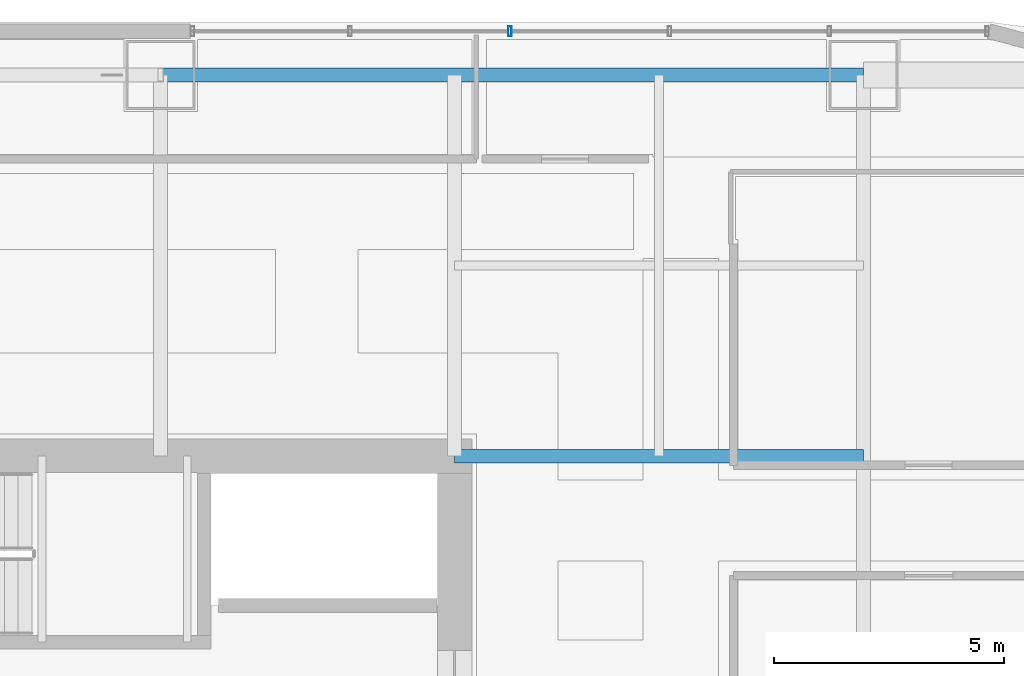
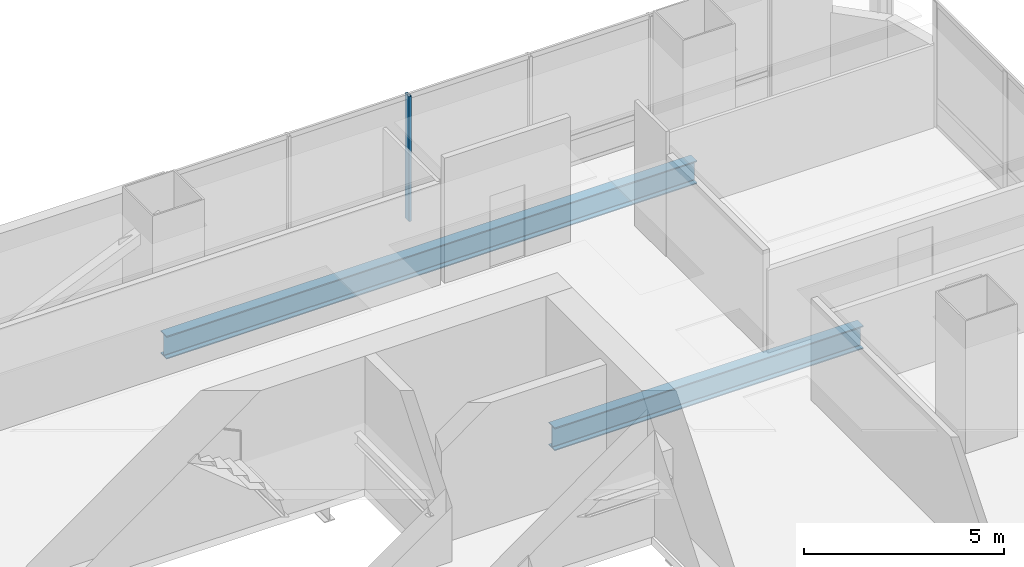
# One storey, part 20 of 40: 2 beams, 1 member, 1 element without a shape of its own.
"""IFC4 building model written with IfcOpenShell, lengths in metres."""

from ifc_helpers import new_model, si_unit, direction, frame, origin, origin_2d, place, context, subcontext, project, spatial, hollow_rectangle, i_section, extrude, material, material_profile, profile_set, type_object, element, aggregate, save


model = new_model("IFC4")

# Units and contexts
model_context = context("Model", 3, precision=1e-05, world=origin(), true_north=direction((0.0, 1.0)))
body_context = subcontext(model_context, "Body", "Model", "MODEL_VIEW")
ifc_project = project(units=[si_unit("LENGTHUNIT", "METRE"), si_unit("AREAUNIT", "SQUARE_METRE"), si_unit("VOLUMEUNIT", "CUBIC_METRE"), si_unit("PLANEANGLEUNIT", "RADIAN"), si_unit("MASSUNIT", "GRAM", prefix="KILO")], contexts=[model_context])

# Site, building, storey
site_placement = place(None, origin())
site = spatial("IfcSite", under=ifc_project, at=site_placement, CompositionType="ELEMENT")
building_placement = place(site_placement, origin())
building = spatial("IfcBuilding", under=site, at=building_placement, Name="Punatoya Terracotta Tower", CompositionType="ELEMENT")
storey_placement = place(building_placement, frame((0.0, 0.0, 76.800048828125)))
storey = spatial("IfcBuildingStorey", under=building, at=storey_placement, Name="L17", CompositionType="ELEMENT", Elevation=76.800048828125)

# Beams
ifc_material_1 = material(Name="Steel S355", Category="steel")
ifc_material_profile_1 = material_profile(ifc_material_1, i_section(OverallWidth=0.300048828125, OverallDepth=0.699951171875, WebThickness=0.01708984375, FlangeThickness=0.031982421875, FilletRadius=0.01806640625, at=origin_2d()))
ifc_profile_set_1 = profile_set([ifc_material_profile_1], Name="Steel S355")
beam_type = type_object("IfcBeamType", Name="BM-PRI-700", PredefinedType="BEAM", material=ifc_profile_set_1)
beam_1_placement = place(storey_placement, frame((3.800048828125, 17.5, -0.590087890625), z_axis=(1.0, 0.0, 0.0), x_axis=(0.0, 1.0, 0.0)))
element("IfcBeam", 1, at=beam_1_placement, inside=storey, type_object=beam_type, Name="BM-L17-RG-N3", PredefinedType="BEAM", context=body_context, shape_type="SweptSolid", body=[
    extrude(i_section(OverallWidth=0.300048828125, OverallDepth=0.699951171875, WebThickness=0.01708984375, FlangeThickness=0.031982421875, FilletRadius=0.01806640625, at=origin_2d()), origin(), (0.0, 0.0, 1.0), 15.300048828125),
])
beam_2_placement = place(storey_placement, frame((10.199951171875, 9.199951171875, -0.590087890625), z_axis=(1.0, 0.0, 0.0), x_axis=(0.0, 1.0, 0.0)))
element("IfcBeam", 2, at=beam_2_placement, inside=storey, type_object=beam_type, Name="BM-L17-PR-EN", PredefinedType="BEAM", context=body_context, shape_type="SweptSolid", body=[
    extrude(i_section(OverallWidth=0.300048828125, OverallDepth=0.699951171875, WebThickness=0.01708984375, FlangeThickness=0.031982421875, FilletRadius=0.01806640625, at=origin_2d()), origin(), (0.0, 0.0, 1.0), 8.900146484375),
])

# Curtain wall, member
ifc_material_2 = material(Name="Aluminium 6063-T6 + Double Low-E Glass", Category="aluminium")
curtain_wall_type = type_object("IfcCurtainWallType", Name="CW-M1", PredefinedType="NOTDEFINED", material=ifc_material_2)
curtain_wall_placement = place(storey_placement, origin())
curtain_wall = element("IfcCurtainWall", 3, at=curtain_wall_placement, inside=storey, type_object=curtain_wall_type, Name="L17 Curtain Wall CW-L17-N09-1", PredefinedType="NOTDEFINED")
ifc_material_3 = material(Name="Aluminium 6063-T6", Category="aluminium")
ifc_material_profile_2 = material_profile(ifc_material_3, hollow_rectangle(XDim=0.074951171875, YDim=0.2099609375, WallThickness=0.00439453125, at=origin_2d()))
ifc_profile_set_2 = profile_set([ifc_material_profile_2], Name="Aluminium 6063-T6")
member_type = type_object("IfcMemberType", Name="CW-MUL-M1", PredefinedType="MULLION", material=ifc_profile_set_2)
member_placement = place(storey_placement, frame((11.40478515625, 18.449951171875, 0.0), z_axis=(0.0, 0.0, 1.0), x_axis=(1.0, 0.0, 0.0)))
member = element("IfcMember", 4, at=member_placement, type_object=member_type, Name="CW-L17-N09-1 Mullion 03", PredefinedType="MULLION", context=body_context, shape_type="SweptSolid", body=[
    extrude(hollow_rectangle(XDim=0.074951171875, YDim=0.2099609375, WallThickness=0.00439453125, at=origin_2d()), origin(), (0.0, 0.0, 1.0), 3.81005859375),
])
aggregate(curtain_wall, [member])

save(model, "model.ifc")
